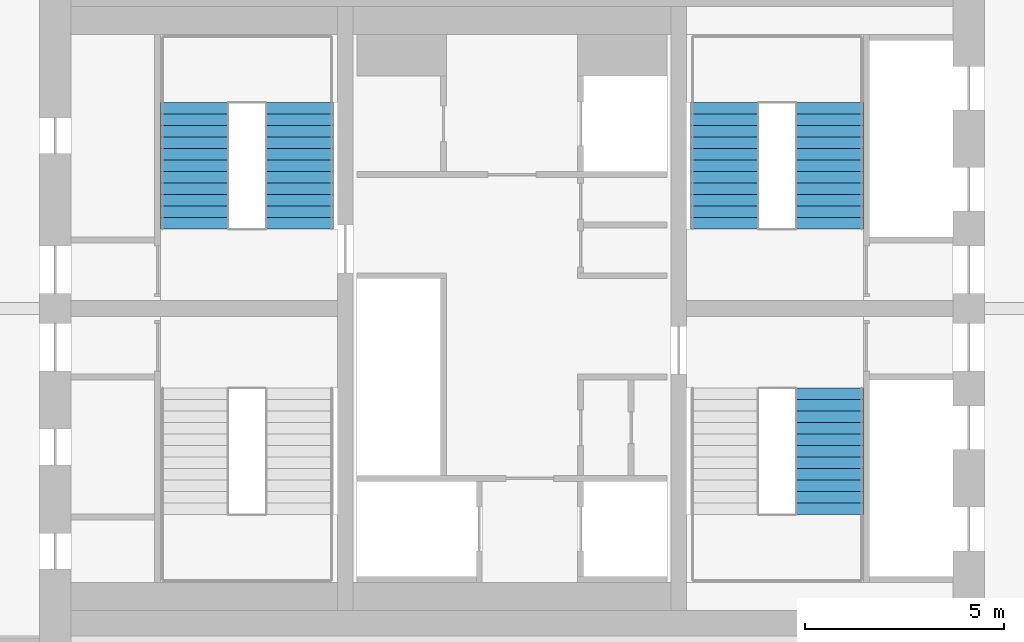
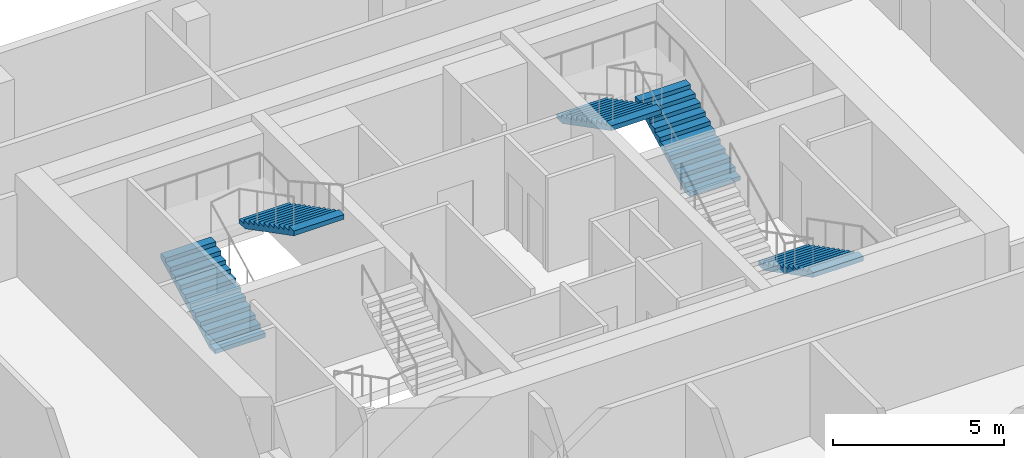
# One storey, part 21 of 22: 5 stair flights, 3 elements without a shape of their own.
"""IFC4 building model written with IfcOpenShell, lengths in metres."""

from ifc_helpers import new_model, si_unit, direction, frame, origin, place, context, subcontext, project, spatial, polyline, outline, extrude, material, type_object, element, aggregate, save


model = new_model("IFC4")

# Units and contexts
model_context = context("Model", 3, precision=1e-05, world=origin(), true_north=direction((0.0, 1.0)))
body_context = subcontext(model_context, "Body", "Model", "MODEL_VIEW")
ifc_project = project(units=[si_unit("LENGTHUNIT", "METRE"), si_unit("AREAUNIT", "SQUARE_METRE"), si_unit("VOLUMEUNIT", "CUBIC_METRE"), si_unit("PLANEANGLEUNIT", "RADIAN"), si_unit("MASSUNIT", "GRAM", prefix="KILO")], contexts=[model_context])

# Site, building, storey
site_placement = place(None, origin())
site = spatial("IfcSite", under=ifc_project, at=site_placement, CompositionType="ELEMENT")
building_placement = place(site_placement, origin())
building = spatial("IfcBuilding", under=site, at=building_placement, Name="Marenta Gate Hotel Tower", CompositionType="ELEMENT")
storey_placement = place(building_placement, frame((0.0, 0.0, 194.89990234375)))
storey = spatial("IfcBuildingStorey", under=building, at=storey_placement, Name="L44", CompositionType="ELEMENT", Elevation=194.89990234375)

# Stair, stair flights
ifc_material_1 = material(Name="Concrete C40", Category="concrete")
stair_type = type_object("IfcStairType", Name="Core exit stair 1700 wide", PredefinedType="HALF_TURN_STAIR", material=ifc_material_1)
stair_1_placement = place(storey_placement, origin())
stair_1 = element("IfcStair", 1, at=stair_1_placement, inside=storey, type_object=stair_type, Name="Exit stair 2", PredefinedType="HALF_TURN_STAIR")
ifc_material_2 = material(Name="Concrete C40", Category="concrete")
stair_flight_type = type_object("IfcStairFlightType", Name="Core stair flight 1700 riser 150.0 going 290", PredefinedType="STRAIGHT", material=ifc_material_2)
stair_flight_1_placement = place(storey_placement, frame((-8.0, 10.39990234375, 0.0), z_axis=(0.0, 0.0, 1.0), x_axis=(0.0, 1.0, 0.0)))
stair_flight_1 = element("IfcStairFlight", 2, at=stair_flight_1_placement, type_object=stair_flight_type, Name="ST2 flight 1", NumberOfRisers=12, NumberOfTreads=11, PredefinedType="STRAIGHT", RiserHeight=0.15, TreadLength=0.29, context=body_context, shape_type="SweptSolid", body=[
    extrude(outline(polyline([(0.0, 0.0), (0.0, 0.14990234375), (0.2900390625, 0.14990234375), (0.2900390625, 0.300048828125), (0.580078125, 0.300048828125), (0.580078125, 0.449951171875), (0.8701171875, 0.449951171875), (0.8701171875, 0.60009765625), (1.159912109375, 0.60009765625), (1.159912109375, 0.75), (1.449951171875, 0.75), (1.449951171875, 0.89990234375), (1.739990234375, 0.89990234375), (1.739990234375, 1.050048828125), (2.030029296875, 1.050048828125), (2.030029296875, 1.199951171875), (2.320068359375, 1.199951171875), (2.320068359375, 1.35009765625), (2.610107421875, 1.35009765625), (2.610107421875, 1.5), (2.89990234375, 1.5), (2.89990234375, 1.64990234375), (3.18994140625, 1.64990234375), (3.18994140625, 1.800048828125), (3.18994140625, 1.481201171875), (0.326171875, 0.0), (0.0, 0.0)])), frame((0.0, 0.85009765625, 0.0), z_axis=(0.0, -1.0, 0.0), x_axis=(1.0, 0.0, 0.0)), (0.0, 0.0, 1.0), 1.699951171875),
])
stair_flight_2_placement = place(storey_placement, frame((-5.35009765625, 13.590087890625, 1.800048828125), z_axis=(0.0, 0.0, 1.0), x_axis=(0.0, -1.0, 0.0)))
stair_flight_2 = element("IfcStairFlight", 3, at=stair_flight_2_placement, type_object=stair_flight_type, Name="ST2 flight 2", NumberOfRisers=12, NumberOfTreads=11, PredefinedType="STRAIGHT", RiserHeight=0.15, TreadLength=0.29, context=body_context, shape_type="SweptSolid", body=[
    extrude(outline(polyline([(0.0, 0.0), (0.0, 0.14990234375), (0.2900390625, 0.14990234375), (0.2900390625, 0.300048828125), (0.580078125, 0.300048828125), (0.580078125, 0.449951171875), (0.8701171875, 0.449951171875), (0.8701171875, 0.60009765625), (1.159912109375, 0.60009765625), (1.159912109375, 0.75), (1.449951171875, 0.75), (1.449951171875, 0.89990234375), (1.739990234375, 0.89990234375), (1.739990234375, 1.050048828125), (2.030029296875, 1.050048828125), (2.030029296875, 1.199951171875), (2.320068359375, 1.199951171875), (2.320068359375, 1.35009765625), (2.610107421875, 1.35009765625), (2.610107421875, 1.5), (2.89990234375, 1.5), (2.89990234375, 1.64990234375), (3.18994140625, 1.64990234375), (3.18994140625, 1.800048828125), (3.18994140625, 1.481201171875), (0.326171875, 0.0), (0.0, 0.0)])), frame((0.0, 0.85009765625, 0.0), z_axis=(0.0, -1.0, 0.0), x_axis=(1.0, 0.0, 0.0)), (0.0, 0.0, 1.0), 1.699951171875),
])
aggregate(stair_1, [stair_flight_1, stair_flight_2])

# Stair, stair flight
stair_2_placement = place(storey_placement, origin())
stair_2 = element("IfcStair", 4, at=stair_2_placement, inside=storey, type_object=stair_type, Name="Exit stair 3", PredefinedType="HALF_TURN_STAIR")
stair_flight_3_placement = place(storey_placement, frame((8.0, 6.39990234375, 0.0), z_axis=(0.0, 0.0, 1.0), x_axis=(0.0, -1.0, 0.0)))
stair_flight_3 = element("IfcStairFlight", 5, at=stair_flight_3_placement, type_object=stair_flight_type, Name="ST3 flight 1", NumberOfRisers=12, NumberOfTreads=11, PredefinedType="STRAIGHT", RiserHeight=0.15, TreadLength=0.29, context=body_context, shape_type="SweptSolid", body=[
    extrude(outline(polyline([(0.0, 0.0), (0.0, 0.14990234375), (0.2900390625, 0.14990234375), (0.2900390625, 0.300048828125), (0.580078125, 0.300048828125), (0.580078125, 0.449951171875), (0.8701171875, 0.449951171875), (0.8701171875, 0.60009765625), (1.159912109375, 0.60009765625), (1.159912109375, 0.75), (1.449951171875, 0.75), (1.449951171875, 0.89990234375), (1.739990234375, 0.89990234375), (1.739990234375, 1.050048828125), (2.030029296875, 1.050048828125), (2.030029296875, 1.199951171875), (2.320068359375, 1.199951171875), (2.320068359375, 1.35009765625), (2.610107421875, 1.35009765625), (2.610107421875, 1.5), (2.89990234375, 1.5), (2.89990234375, 1.64990234375), (3.18994140625, 1.64990234375), (3.18994140625, 1.800048828125), (3.18994140625, 1.481201171875), (0.326171875, 0.0), (0.0, 0.0)])), frame((0.0, 0.85009765625, 0.0), z_axis=(0.0, -1.0, 0.0), x_axis=(1.0, 0.0, 0.0)), (0.0, 0.0, 1.0), 1.699951171875),
])
aggregate(stair_2, [stair_flight_3])

# Stair, stair flights
stair_3_placement = place(storey_placement, origin())
stair_3 = element("IfcStair", 6, at=stair_3_placement, inside=storey, type_object=stair_type, Name="Exit stair 4", PredefinedType="HALF_TURN_STAIR")
stair_flight_4_placement = place(storey_placement, frame((8.0, 10.39990234375, 0.0), z_axis=(0.0, 0.0, 1.0), x_axis=(0.0, 1.0, 0.0)))
stair_flight_4 = element("IfcStairFlight", 7, at=stair_flight_4_placement, type_object=stair_flight_type, Name="ST4 flight 1", NumberOfRisers=12, NumberOfTreads=11, PredefinedType="STRAIGHT", RiserHeight=0.15, TreadLength=0.29, context=body_context, shape_type="SweptSolid", body=[
    extrude(outline(polyline([(0.0, 0.0), (0.0, 0.14990234375), (0.2900390625, 0.14990234375), (0.2900390625, 0.300048828125), (0.580078125, 0.300048828125), (0.580078125, 0.449951171875), (0.8701171875, 0.449951171875), (0.8701171875, 0.60009765625), (1.159912109375, 0.60009765625), (1.159912109375, 0.75), (1.449951171875, 0.75), (1.449951171875, 0.89990234375), (1.739990234375, 0.89990234375), (1.739990234375, 1.050048828125), (2.030029296875, 1.050048828125), (2.030029296875, 1.199951171875), (2.320068359375, 1.199951171875), (2.320068359375, 1.35009765625), (2.610107421875, 1.35009765625), (2.610107421875, 1.5), (2.89990234375, 1.5), (2.89990234375, 1.64990234375), (3.18994140625, 1.64990234375), (3.18994140625, 1.800048828125), (3.18994140625, 1.481201171875), (0.326171875, 0.0), (0.0, 0.0)])), frame((0.0, 0.85009765625, 0.0), z_axis=(0.0, -1.0, 0.0), x_axis=(1.0, 0.0, 0.0)), (0.0, 0.0, 1.0), 1.699951171875),
])
stair_flight_5_placement = place(storey_placement, frame((5.35009765625, 13.590087890625, 1.800048828125), z_axis=(0.0, 0.0, 1.0), x_axis=(0.0, -1.0, 0.0)))
stair_flight_5 = element("IfcStairFlight", 8, at=stair_flight_5_placement, type_object=stair_flight_type, Name="ST4 flight 2", NumberOfRisers=12, NumberOfTreads=11, PredefinedType="STRAIGHT", RiserHeight=0.15, TreadLength=0.29, context=body_context, shape_type="SweptSolid", body=[
    extrude(outline(polyline([(0.0, 0.0), (0.0, 0.14990234375), (0.2900390625, 0.14990234375), (0.2900390625, 0.300048828125), (0.580078125, 0.300048828125), (0.580078125, 0.449951171875), (0.8701171875, 0.449951171875), (0.8701171875, 0.60009765625), (1.159912109375, 0.60009765625), (1.159912109375, 0.75), (1.449951171875, 0.75), (1.449951171875, 0.89990234375), (1.739990234375, 0.89990234375), (1.739990234375, 1.050048828125), (2.030029296875, 1.050048828125), (2.030029296875, 1.199951171875), (2.320068359375, 1.199951171875), (2.320068359375, 1.35009765625), (2.610107421875, 1.35009765625), (2.610107421875, 1.5), (2.89990234375, 1.5), (2.89990234375, 1.64990234375), (3.18994140625, 1.64990234375), (3.18994140625, 1.800048828125), (3.18994140625, 1.481201171875), (0.326171875, 0.0), (0.0, 0.0)])), frame((0.0, 0.85009765625, 0.0), z_axis=(0.0, -1.0, 0.0), x_axis=(1.0, 0.0, 0.0)), (0.0, 0.0, 1.0), 1.699951171875),
])
aggregate(stair_3, [stair_flight_4, stair_flight_5])

save(model, "model.ifc")
